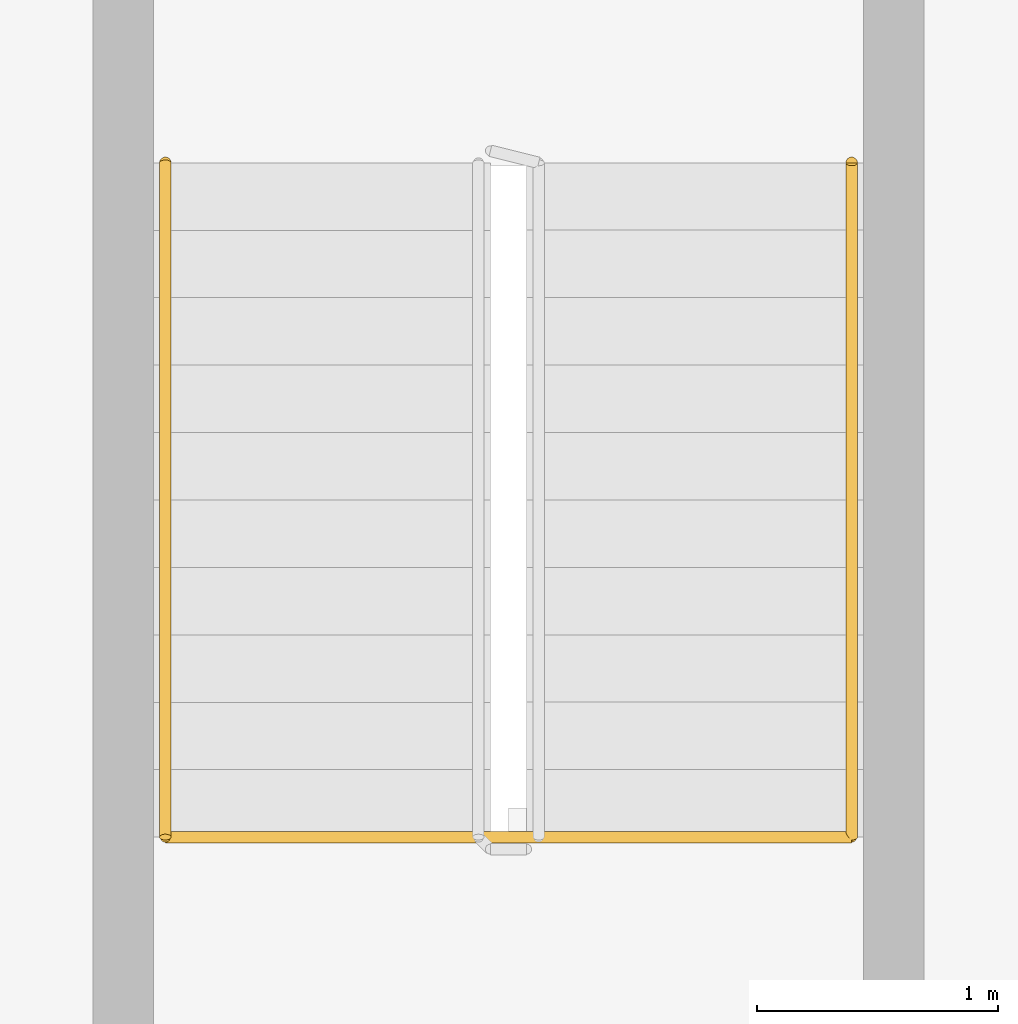
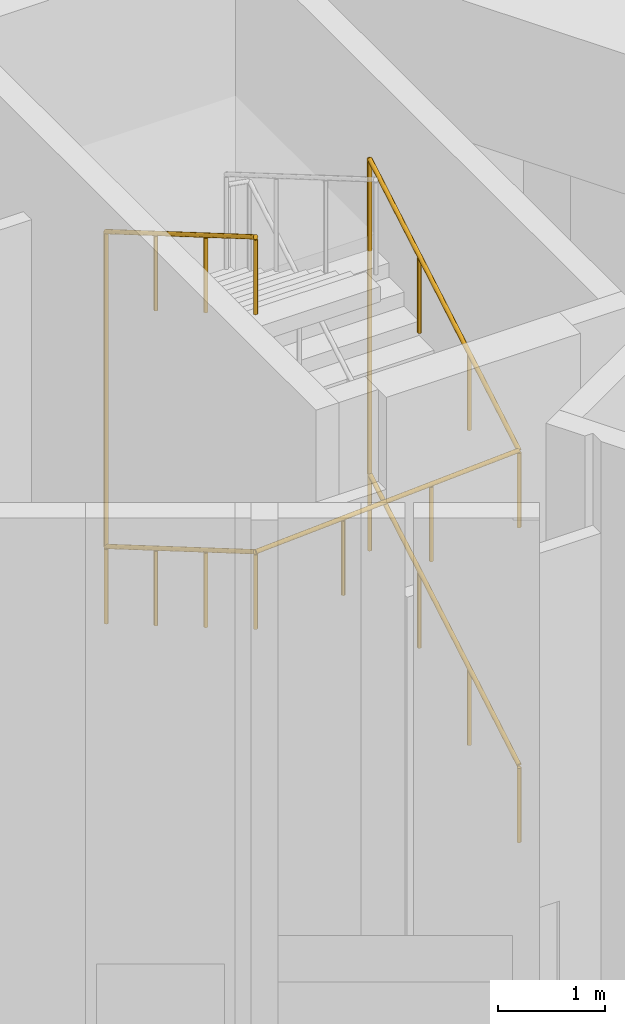
# One storey, part 32 of 33: 1 railing.
"""IFC4 building model written with IfcOpenShell, lengths in metres."""

from ifc_helpers import new_model, si_unit, direction, frame, origin, origin_2d, place, context, subcontext, project, spatial, circle, extrude, material, type_object, element, save


model = new_model("IFC4")

# Units and contexts
model_context = context("Model", 3, precision=1e-05, world=origin(), true_north=direction((0.0, 1.0)))
body_context = subcontext(model_context, "Body", "Model", "MODEL_VIEW")
ifc_project = project(units=[si_unit("LENGTHUNIT", "METRE"), si_unit("AREAUNIT", "SQUARE_METRE"), si_unit("VOLUMEUNIT", "CUBIC_METRE"), si_unit("PLANEANGLEUNIT", "RADIAN"), si_unit("MASSUNIT", "GRAM", prefix="KILO")], contexts=[model_context])

# Site, building, storey
site_placement = place(None, origin())
site = spatial("IfcSite", under=ifc_project, at=site_placement, CompositionType="ELEMENT")
building_placement = place(site_placement, origin())
building = spatial("IfcBuilding", under=site, at=building_placement, Name="Mestral Congress Tower", CompositionType="ELEMENT")
storey_placement = place(building_placement, frame((0.0, 0.0, 134.39990234375)))
storey = spatial("IfcBuildingStorey", under=building, at=storey_placement, Name="L32", CompositionType="ELEMENT", Elevation=134.39990234375)

# Railing
ifc_material = material(Name="Steel handrail", Category="steel")
railing_type = type_object("IfcRailingType", Name="Stair handrail 900", PredefinedType="HANDRAIL", material=ifc_material)
railing_placement = place(storey_placement, frame((1.425048828125, 10.35009765625, 0.163818359375)))
element("IfcRailing", 1, at=railing_placement, inside=storey, type_object=railing_type, Name="L32 ST2 stair handrail 1", PredefinedType="HANDRAIL", context=body_context, shape_type="SweptSolid", body=[
    extrude(circle(Radius=0.02392578125, at=origin_2d()), frame((0.0, 0.0, 0.8759765625), z_axis=(0.0, 0.863374499697, 0.504563646405), x_axis=(-1.0, 0.0, 0.0)), (0.0, 0.0, 1.0), 3.242919921875),
    extrude(circle(Radius=0.02392578125, at=origin_2d()), frame((0.0, 2.7998046875, 2.51220703125), z_axis=(0.0, 0.0, 1.0), x_axis=(1.0, 0.0, 0.0)), (0.0, 0.0, 1.0), 3.60009765625),
    extrude(circle(Radius=0.02392578125, at=origin_2d()), frame((0.0, 2.7998046875, 6.1123046875), z_axis=(0.0, -0.863341702679, -0.504619762213), x_axis=(1.0, 0.0, 0.0)), (0.0, 0.0, 1.0), 3.242919921875),
    extrude(circle(Radius=0.02392578125, at=origin_2d()), frame((0.0, 0.0, 4.4755859375), z_axis=(-0.99835710822, 0.0, -0.057298206485), x_axis=(0.0, -1.0, 0.0)), (0.0, 0.0, 1.0), 2.854736328125),
    extrude(circle(Radius=0.02392578125, at=origin_2d()), frame((-2.85009765625, 0.0, 4.31201171875), z_axis=(0.0, 0.863341702679, -0.504619762213), x_axis=(-1.0, 0.0, 0.0)), (0.0, 0.0, 1.0), 3.242919921875),
    extrude(circle(Radius=0.02392578125, at=origin_2d()), frame((-2.85009765625, 2.7998046875, 2.67578125), z_axis=(0.0, 0.0, 1.0), x_axis=(1.0, 0.0, 0.0)), (0.0, 0.0, 1.0), 3.60009765625),
    extrude(circle(Radius=0.02392578125, at=origin_2d()), frame((-2.85009765625, 2.7998046875, 6.27587890625), z_axis=(0.0, -0.863341702679, 0.504619762213), x_axis=(1.0, 0.0, 0.0)), (0.0, 0.0, 1.0), 3.242919921875),
    extrude(circle(Radius=0.02099609375, at=origin_2d()), origin(), (0.0, 0.0, 1.0), 0.851806640625),
    extrude(circle(Radius=0.02099609375, at=origin_2d()), frame((0.0, 0.933349609375, 0.54541015625)), (0.0, 0.0, 1.0), 0.851806640625),
    extrude(circle(Radius=0.02099609375, at=origin_2d()), frame((0.0, 1.866455078125, 1.0908203125)), (0.0, 0.0, 1.0), 0.851806640625),
    extrude(circle(Radius=0.02099609375, at=origin_2d()), frame((0.0, 2.7998046875, 1.63623046875)), (0.0, 0.0, 1.0), 0.851806640625),
    extrude(circle(Radius=0.02099609375, at=origin_2d()), frame((0.0, 2.7998046875, 2.5361328125)), (0.0, 0.0, 1.0), 0.851806640625),
    extrude(circle(Radius=0.02099609375, at=origin_2d()), frame((0.0, 2.7998046875, 3.436279296875)), (0.0, 0.0, 1.0), 0.851806640625),
    extrude(circle(Radius=0.02099609375, at=origin_2d()), frame((0.0, 2.7998046875, 4.33642578125)), (0.0, 0.0, 1.0), 0.851806640625),
    extrude(circle(Radius=0.02099609375, at=origin_2d()), frame((0.0, 2.7998046875, 5.236328125)), (0.0, 0.0, 1.0), 0.851806640625),
    extrude(circle(Radius=0.02099609375, at=origin_2d()), frame((0.0, 1.866455078125, 4.69091796875)), (0.0, 0.0, 1.0), 0.851806640625),
    extrude(circle(Radius=0.02099609375, at=origin_2d()), frame((0.0, 0.933349609375, 4.145263671875)), (0.0, 0.0, 1.0), 0.851806640625),
    extrude(circle(Radius=0.02099609375, at=origin_2d()), frame((0.0, 0.0, 3.599853515625)), (0.0, 0.0, 1.0), 0.851806640625),
    extrude(circle(Radius=0.02099609375, at=origin_2d()), frame((-0.949951171875, 0.0, 3.54541015625)), (0.0, 0.0, 1.0), 0.851806640625),
    extrude(circle(Radius=0.02099609375, at=origin_2d()), frame((-1.900146484375, 0.0, 3.49072265625)), (0.0, 0.0, 1.0), 0.851806640625),
    extrude(circle(Radius=0.02099609375, at=origin_2d()), frame((-2.85009765625, 0.0, 3.436279296875)), (0.0, 0.0, 1.0), 0.851806640625),
    extrude(circle(Radius=0.02099609375, at=origin_2d()), frame((-2.85009765625, 0.933349609375, 2.890869140625)), (0.0, 0.0, 1.0), 0.851806640625),
    extrude(circle(Radius=0.02099609375, at=origin_2d()), frame((-2.85009765625, 1.866455078125, 2.34521484375)), (0.0, 0.0, 1.0), 0.851806640625),
    extrude(circle(Radius=0.02099609375, at=origin_2d()), frame((-2.85009765625, 2.7998046875, 1.7998046875)), (0.0, 0.0, 1.0), 0.851806640625),
    extrude(circle(Radius=0.02099609375, at=origin_2d()), frame((-2.85009765625, 2.7998046875, 2.69970703125)), (0.0, 0.0, 1.0), 0.851806640625),
    extrude(circle(Radius=0.02099609375, at=origin_2d()), frame((-2.85009765625, 2.7998046875, 3.599853515625)), (0.0, 0.0, 1.0), 0.851806640625),
    extrude(circle(Radius=0.02099609375, at=origin_2d()), frame((-2.85009765625, 2.7998046875, 4.5)), (0.0, 0.0, 1.0), 0.851806640625),
    extrude(circle(Radius=0.02099609375, at=origin_2d()), frame((-2.85009765625, 2.7998046875, 5.39990234375)), (0.0, 0.0, 1.0), 0.851806640625),
    extrude(circle(Radius=0.02099609375, at=origin_2d()), frame((-2.85009765625, 1.866455078125, 5.9453125)), (0.0, 0.0, 1.0), 0.851806640625),
    extrude(circle(Radius=0.02099609375, at=origin_2d()), frame((-2.85009765625, 0.933349609375, 6.490966796875)), (0.0, 0.0, 1.0), 0.851806640625),
    extrude(circle(Radius=0.02099609375, at=origin_2d()), frame((-2.85009765625, 0.0, 7.036376953125)), (0.0, 0.0, 1.0), 0.851806640625),
])

save(model, "model.ifc")
